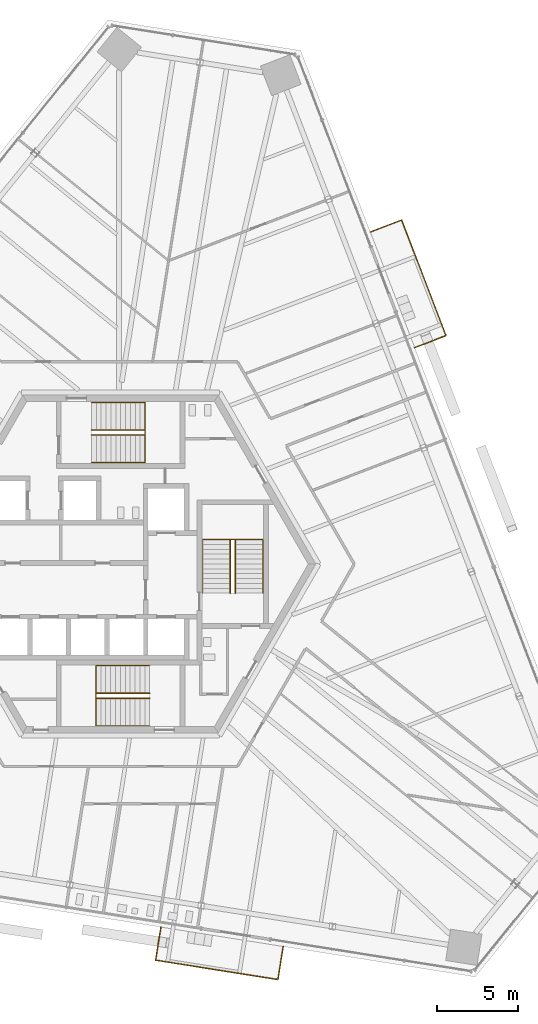
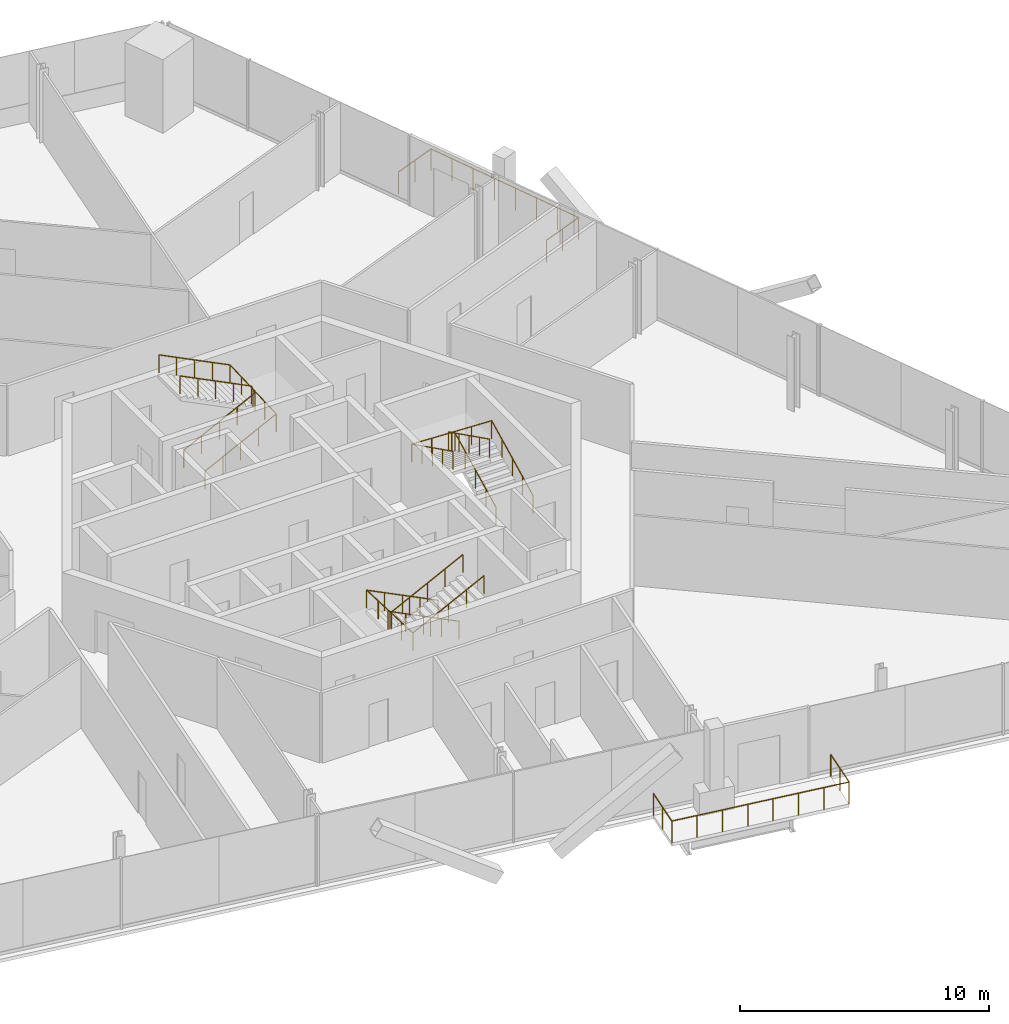
# One storey, part 15 of 18: 8 railings.
"""IFC4 building model written with IfcOpenShell, lengths in metres."""

from ifc_helpers import new_model, si_unit, direction, frame, origin, origin_2d, place, context, subcontext, project, spatial, circle, extrude, source, transform, mapped, material, type_object, element, save


model = new_model("IFC4")

# Units and contexts
model_context = context("Model", 3, precision=1e-05, world=origin(), true_north=direction((0.0, 1.0)))
body_context = subcontext(model_context, "Body", "Model", "MODEL_VIEW")
ifc_project = project(units=[si_unit("LENGTHUNIT", "METRE"), si_unit("AREAUNIT", "SQUARE_METRE"), si_unit("VOLUMEUNIT", "CUBIC_METRE"), si_unit("PLANEANGLEUNIT", "RADIAN"), si_unit("MASSUNIT", "GRAM", prefix="KILO")], contexts=[model_context])

# Site, building, storey
site_placement = place(None, origin())
site = spatial("IfcSite", under=ifc_project, at=site_placement, CompositionType="ELEMENT")
building_placement = place(site_placement, origin())
building = spatial("IfcBuilding", under=site, at=building_placement, Name="Triune Harvest Tower", CompositionType="ELEMENT")
storey_placement = place(building_placement, frame((0.0, 0.0, 156.89990234375)))
storey = spatial("IfcBuildingStorey", under=building, at=storey_placement, Name="L40", CompositionType="ELEMENT", Elevation=156.89990234375)

# Railings
ifc_material_1 = material(Name="Stainless steel AISI 316", Category="steel")
railing_type_1 = type_object("IfcRailingType", Name="Stair handrail", PredefinedType="HANDRAIL", material=ifc_material_1)
shared_shape_1 = source(origin(), body_context, "Body", "SweptSolid", [
    extrude(circle(Radius=0.02392578125, at=origin_2d()), frame((0.0, 0.0, 0.8759765625), z_axis=(0.894440424912, 0.0, 0.447187126696), x_axis=(0.0, 1.0, 0.0)), (0.0, 0.0, 1.0), 3.689453125),
    extrude(circle(Radius=0.02392578125, at=origin_2d()), frame((3.300048828125, 0.0, 2.52587890625), z_axis=(0.0, 0.999177620331, 0.040547293732), x_axis=(-1.0, 0.0, 0.0)), (0.0, 0.0, 1.0), 3.702880859375),
    extrude(circle(Radius=0.02392578125, at=origin_2d()), frame((3.300048828125, 3.699951171875, 2.67578125), z_axis=(-0.894440424912, 0.0, 0.447187126696), x_axis=(0.0, -1.0, 0.0)), (0.0, 0.0, 1.0), 3.689453125),
    extrude(circle(Radius=0.02099609375, at=origin_2d()), origin(), (0.0, 0.0, 1.0), 0.851806640625),
    extrude(circle(Radius=0.02099609375, at=origin_2d()), frame((0.824951171875, 0.0, 0.41259765625)), (0.0, 0.0, 1.0), 0.851806640625),
    extrude(circle(Radius=0.02099609375, at=origin_2d()), frame((1.64990234375, 0.0, 0.824951171875)), (0.0, 0.0, 1.0), 0.851806640625),
    extrude(circle(Radius=0.02099609375, at=origin_2d()), frame((2.47509765625, 0.0, 1.2373046875)), (0.0, 0.0, 1.0), 0.851806640625),
    extrude(circle(Radius=0.02099609375, at=origin_2d()), frame((3.300048828125, 0.0, 1.64990234375)), (0.0, 0.0, 1.0), 0.851806640625),
    extrude(circle(Radius=0.02099609375, at=origin_2d()), frame((3.300048828125, 0.925048828125, 1.6875)), (0.0, 0.0, 1.0), 0.851806640625),
    extrude(circle(Radius=0.02099609375, at=origin_2d()), frame((3.300048828125, 1.85009765625, 1.72509765625)), (0.0, 0.0, 1.0), 0.851806640625),
    extrude(circle(Radius=0.02099609375, at=origin_2d()), frame((3.300048828125, 2.77490234375, 1.762451171875)), (0.0, 0.0, 1.0), 0.851806640625),
    extrude(circle(Radius=0.02099609375, at=origin_2d()), frame((3.300048828125, 3.699951171875, 1.800048828125)), (0.0, 0.0, 1.0), 0.851806640625),
    extrude(circle(Radius=0.02099609375, at=origin_2d()), frame((2.47509765625, 3.699951171875, 2.21240234375)), (0.0, 0.0, 1.0), 0.851806640625),
    extrude(circle(Radius=0.02099609375, at=origin_2d()), frame((1.64990234375, 3.699951171875, 2.625)), (0.0, 0.0, 1.0), 0.851806640625),
    extrude(circle(Radius=0.02099609375, at=origin_2d()), frame((0.824951171875, 3.699951171875, 3.03759765625)), (0.0, 0.0, 1.0), 0.851806640625),
    extrude(circle(Radius=0.02099609375, at=origin_2d()), frame((0.0, 3.699951171875, 3.449951171875)), (0.0, 0.0, 1.0), 0.851806640625),
])
railing_1_placement = place(storey_placement, frame((-1.7900390625, 6.239990234375, 0.150146484375)))
element("IfcRailing", 1, at=railing_1_placement, inside=storey, type_object=railing_type_1, Name="Exit stair north wall handrail", PredefinedType="HANDRAIL", context=body_context, shape_type="MappedRepresentation", body=[
    mapped(shared_shape_1, transform((0.0, 0.0, 0.0), scale=1.0)),
])
shared_shape_2 = source(origin(), body_context, "Body", "SweptSolid", [
    extrude(circle(Radius=0.02392578125, at=origin_2d()), frame((0.0, 0.0, 0.8759765625), z_axis=(0.894440424912, 0.0, 0.447187126696), x_axis=(0.0, 1.0, 0.0)), (0.0, 0.0, 1.0), 3.689453125),
    extrude(circle(Radius=0.02392578125, at=origin_2d()), frame((3.300048828125, 0.0, 2.52587890625), z_axis=(0.0, 0.894281613681, 0.447504631744), x_axis=(-1.0, 0.0, 0.0)), (0.0, 0.0, 1.0), 0.33544921875),
    extrude(circle(Radius=0.02392578125, at=origin_2d()), frame((3.300048828125, 0.300048828125, 2.67578125), z_axis=(-0.894440424912, 0.0, 0.447187126696), x_axis=(0.0, -1.0, 0.0)), (0.0, 0.0, 1.0), 3.689453125),
    extrude(circle(Radius=0.02099609375, at=origin_2d()), origin(), (0.0, 0.0, 1.0), 0.851806640625),
    extrude(circle(Radius=0.02099609375, at=origin_2d()), frame((0.824951171875, 0.0, 0.41259765625)), (0.0, 0.0, 1.0), 0.851806640625),
    extrude(circle(Radius=0.02099609375, at=origin_2d()), frame((1.64990234375, 0.0, 0.824951171875)), (0.0, 0.0, 1.0), 0.851806640625),
    extrude(circle(Radius=0.02099609375, at=origin_2d()), frame((2.47509765625, 0.0, 1.2373046875)), (0.0, 0.0, 1.0), 0.851806640625),
    extrude(circle(Radius=0.02099609375, at=origin_2d()), frame((3.300048828125, 0.0, 1.64990234375)), (0.0, 0.0, 1.0), 0.851806640625),
    extrude(circle(Radius=0.02099609375, at=origin_2d()), frame((3.300048828125, 0.300048828125, 1.800048828125)), (0.0, 0.0, 1.0), 0.851806640625),
    extrude(circle(Radius=0.02099609375, at=origin_2d()), frame((2.47509765625, 0.300048828125, 2.21240234375)), (0.0, 0.0, 1.0), 0.851806640625),
    extrude(circle(Radius=0.02099609375, at=origin_2d()), frame((1.64990234375, 0.300048828125, 2.625)), (0.0, 0.0, 1.0), 0.851806640625),
    extrude(circle(Radius=0.02099609375, at=origin_2d()), frame((0.824951171875, 0.300048828125, 3.03759765625)), (0.0, 0.0, 1.0), 0.851806640625),
    extrude(circle(Radius=0.02099609375, at=origin_2d()), frame((0.0, 0.300048828125, 3.449951171875)), (0.0, 0.0, 1.0), 0.851806640625),
])
railing_2_placement = place(storey_placement, frame((-1.7900390625, 7.93994140625, 0.150146484375)))
element("IfcRailing", 2, at=railing_2_placement, inside=storey, type_object=railing_type_1, Name="Exit stair north centre handrail", PredefinedType="HANDRAIL", context=body_context, shape_type="MappedRepresentation", body=[
    mapped(shared_shape_2, transform((0.0, 0.0, 0.0), scale=1.0)),
])
shared_shape_3 = source(origin(), body_context, "Body", "SweptSolid", [
    extrude(circle(Radius=0.02392578125, at=origin_2d()), frame((0.0, 0.0, 0.8759765625), z_axis=(-0.894440424912, 0.0, 0.447187126696), x_axis=(0.0, -1.0, 0.0)), (0.0, 0.0, 1.0), 3.689453125),
    extrude(circle(Radius=0.02392578125, at=origin_2d()), frame((-3.300048828125, 0.0, 2.52587890625), z_axis=(0.0, -0.999177620331, 0.040547293732), x_axis=(1.0, 0.0, 0.0)), (0.0, 0.0, 1.0), 3.702880859375),
    extrude(circle(Radius=0.02392578125, at=origin_2d()), frame((-3.300048828125, -3.699951171875, 2.67578125), z_axis=(0.894440424912, 0.0, 0.447187126696), x_axis=(0.0, 1.0, 0.0)), (0.0, 0.0, 1.0), 3.689453125),
    extrude(circle(Radius=0.02099609375, at=origin_2d()), origin(), (0.0, 0.0, 1.0), 0.851806640625),
    extrude(circle(Radius=0.02099609375, at=origin_2d()), frame((-0.824951171875, 0.0, 0.41259765625)), (0.0, 0.0, 1.0), 0.851806640625),
    extrude(circle(Radius=0.02099609375, at=origin_2d()), frame((-1.64990234375, 0.0, 0.824951171875)), (0.0, 0.0, 1.0), 0.851806640625),
    extrude(circle(Radius=0.02099609375, at=origin_2d()), frame((-2.47509765625, 0.0, 1.2373046875)), (0.0, 0.0, 1.0), 0.851806640625),
    extrude(circle(Radius=0.02099609375, at=origin_2d()), frame((-3.300048828125, 0.0, 1.64990234375)), (0.0, 0.0, 1.0), 0.851806640625),
    extrude(circle(Radius=0.02099609375, at=origin_2d()), frame((-3.300048828125, -0.925048828125, 1.6875)), (0.0, 0.0, 1.0), 0.851806640625),
    extrude(circle(Radius=0.02099609375, at=origin_2d()), frame((-3.300048828125, -1.85009765625, 1.72509765625)), (0.0, 0.0, 1.0), 0.851806640625),
    extrude(circle(Radius=0.02099609375, at=origin_2d()), frame((-3.300048828125, -2.77490234375, 1.762451171875)), (0.0, 0.0, 1.0), 0.851806640625),
    extrude(circle(Radius=0.02099609375, at=origin_2d()), frame((-3.300048828125, -3.699951171875, 1.800048828125)), (0.0, 0.0, 1.0), 0.851806640625),
    extrude(circle(Radius=0.02099609375, at=origin_2d()), frame((-2.47509765625, -3.699951171875, 2.21240234375)), (0.0, 0.0, 1.0), 0.851806640625),
    extrude(circle(Radius=0.02099609375, at=origin_2d()), frame((-1.64990234375, -3.699951171875, 2.625)), (0.0, 0.0, 1.0), 0.851806640625),
    extrude(circle(Radius=0.02099609375, at=origin_2d()), frame((-0.824951171875, -3.699951171875, 3.03759765625)), (0.0, 0.0, 1.0), 0.851806640625),
    extrude(circle(Radius=0.02099609375, at=origin_2d()), frame((0.0, -3.699951171875, 3.449951171875)), (0.0, 0.0, 1.0), 0.851806640625),
])
railing_3_placement = place(storey_placement, frame((1.7900390625, -6.239990234375, 0.150146484375)))
element("IfcRailing", 3, at=railing_3_placement, inside=storey, type_object=railing_type_1, Name="Exit stair south wall handrail", PredefinedType="HANDRAIL", context=body_context, shape_type="MappedRepresentation", body=[
    mapped(shared_shape_3, transform((0.0, 0.0, 0.0), scale=1.0)),
])
shared_shape_4 = source(origin(), body_context, "Body", "SweptSolid", [
    extrude(circle(Radius=0.02392578125, at=origin_2d()), frame((0.0, 0.0, 0.8759765625), z_axis=(-0.894440424912, 0.0, 0.447187126696), x_axis=(0.0, -1.0, 0.0)), (0.0, 0.0, 1.0), 3.689453125),
    extrude(circle(Radius=0.02392578125, at=origin_2d()), frame((-3.300048828125, 0.0, 2.52587890625), z_axis=(0.0, -0.894281613681, 0.447504631744), x_axis=(1.0, 0.0, 0.0)), (0.0, 0.0, 1.0), 0.33544921875),
    extrude(circle(Radius=0.02392578125, at=origin_2d()), frame((-3.300048828125, -0.300048828125, 2.67578125), z_axis=(0.894440424912, 0.0, 0.447187126696), x_axis=(0.0, 1.0, 0.0)), (0.0, 0.0, 1.0), 3.689453125),
    extrude(circle(Radius=0.02099609375, at=origin_2d()), origin(), (0.0, 0.0, 1.0), 0.851806640625),
    extrude(circle(Radius=0.02099609375, at=origin_2d()), frame((-0.824951171875, 0.0, 0.41259765625)), (0.0, 0.0, 1.0), 0.851806640625),
    extrude(circle(Radius=0.02099609375, at=origin_2d()), frame((-1.64990234375, 0.0, 0.824951171875)), (0.0, 0.0, 1.0), 0.851806640625),
    extrude(circle(Radius=0.02099609375, at=origin_2d()), frame((-2.47509765625, 0.0, 1.2373046875)), (0.0, 0.0, 1.0), 0.851806640625),
    extrude(circle(Radius=0.02099609375, at=origin_2d()), frame((-3.300048828125, 0.0, 1.64990234375)), (0.0, 0.0, 1.0), 0.851806640625),
    extrude(circle(Radius=0.02099609375, at=origin_2d()), frame((-3.300048828125, -0.300048828125, 1.800048828125)), (0.0, 0.0, 1.0), 0.851806640625),
    extrude(circle(Radius=0.02099609375, at=origin_2d()), frame((-2.47509765625, -0.300048828125, 2.21240234375)), (0.0, 0.0, 1.0), 0.851806640625),
    extrude(circle(Radius=0.02099609375, at=origin_2d()), frame((-1.64990234375, -0.300048828125, 2.625)), (0.0, 0.0, 1.0), 0.851806640625),
    extrude(circle(Radius=0.02099609375, at=origin_2d()), frame((-0.824951171875, -0.300048828125, 3.03759765625)), (0.0, 0.0, 1.0), 0.851806640625),
    extrude(circle(Radius=0.02099609375, at=origin_2d()), frame((0.0, -0.300048828125, 3.449951171875)), (0.0, 0.0, 1.0), 0.851806640625),
])
railing_4_placement = place(storey_placement, frame((1.7900390625, -7.93994140625, 0.150146484375)))
element("IfcRailing", 4, at=railing_4_placement, inside=storey, type_object=railing_type_1, Name="Exit stair south centre handrail", PredefinedType="HANDRAIL", context=body_context, shape_type="MappedRepresentation", body=[
    mapped(shared_shape_4, transform((0.0, 0.0, 0.0), scale=1.0)),
])
shared_shape_5 = source(origin(), body_context, "Body", "SweptSolid", [
    extrude(circle(Radius=0.02392578125, at=origin_2d()), frame((0.0, 0.0, 0.8759765625), z_axis=(0.0, 0.894440424912, 0.447187126696), x_axis=(-1.0, 0.0, 0.0)), (0.0, 0.0, 1.0), 3.689453125),
    extrude(circle(Radius=0.02392578125, at=origin_2d()), frame((0.0, 3.300048828125, 2.52587890625), z_axis=(-0.999177620331, 0.0, 0.040547293732), x_axis=(0.0, -1.0, 0.0)), (0.0, 0.0, 1.0), 3.702880859375),
    extrude(circle(Radius=0.02392578125, at=origin_2d()), frame((-3.699951171875, 3.300048828125, 2.67578125), z_axis=(0.0, -0.894440424912, 0.447187126696), x_axis=(1.0, 0.0, 0.0)), (0.0, 0.0, 1.0), 3.689453125),
    extrude(circle(Radius=0.02099609375, at=origin_2d()), origin(), (0.0, 0.0, 1.0), 0.851806640625),
    extrude(circle(Radius=0.02099609375, at=origin_2d()), frame((0.0, 0.824951171875, 0.41259765625)), (0.0, 0.0, 1.0), 0.851806640625),
    extrude(circle(Radius=0.02099609375, at=origin_2d()), frame((0.0, 1.64990234375, 0.824951171875)), (0.0, 0.0, 1.0), 0.851806640625),
    extrude(circle(Radius=0.02099609375, at=origin_2d()), frame((0.0, 2.47509765625, 1.2373046875)), (0.0, 0.0, 1.0), 0.851806640625),
    extrude(circle(Radius=0.02099609375, at=origin_2d()), frame((0.0, 3.300048828125, 1.64990234375)), (0.0, 0.0, 1.0), 0.851806640625),
    extrude(circle(Radius=0.02099609375, at=origin_2d()), frame((-0.925048828125, 3.300048828125, 1.6875)), (0.0, 0.0, 1.0), 0.851806640625),
    extrude(circle(Radius=0.02099609375, at=origin_2d()), frame((-1.85009765625, 3.300048828125, 1.72509765625)), (0.0, 0.0, 1.0), 0.851806640625),
    extrude(circle(Radius=0.02099609375, at=origin_2d()), frame((-2.77490234375, 3.300048828125, 1.762451171875)), (0.0, 0.0, 1.0), 0.851806640625),
    extrude(circle(Radius=0.02099609375, at=origin_2d()), frame((-3.699951171875, 3.300048828125, 1.800048828125)), (0.0, 0.0, 1.0), 0.851806640625),
    extrude(circle(Radius=0.02099609375, at=origin_2d()), frame((-3.699951171875, 2.47509765625, 2.21240234375)), (0.0, 0.0, 1.0), 0.851806640625),
    extrude(circle(Radius=0.02099609375, at=origin_2d()), frame((-3.699951171875, 1.64990234375, 2.625)), (0.0, 0.0, 1.0), 0.851806640625),
    extrude(circle(Radius=0.02099609375, at=origin_2d()), frame((-3.699951171875, 0.824951171875, 3.03759765625)), (0.0, 0.0, 1.0), 0.851806640625),
    extrude(circle(Radius=0.02099609375, at=origin_2d()), frame((-3.699951171875, 0.0, 3.449951171875)), (0.0, 0.0, 1.0), 0.851806640625),
])
railing_5_placement = place(storey_placement, frame((8.75, -1.7900390625, 0.150146484375)))
element("IfcRailing", 5, at=railing_5_placement, inside=storey, type_object=railing_type_1, Name="Exit stair east wall handrail", PredefinedType="HANDRAIL", context=body_context, shape_type="MappedRepresentation", body=[
    mapped(shared_shape_5, transform((0.0, 0.0, 0.0), scale=1.0)),
])
shared_shape_6 = source(origin(), body_context, "Body", "SweptSolid", [
    extrude(circle(Radius=0.02392578125, at=origin_2d()), frame((0.0, 0.0, 0.8759765625), z_axis=(0.0, 0.894440424912, 0.447187126696), x_axis=(-1.0, 0.0, 0.0)), (0.0, 0.0, 1.0), 3.689453125),
    extrude(circle(Radius=0.02392578125, at=origin_2d()), frame((0.0, 3.300048828125, 2.52587890625), z_axis=(-0.894281613681, 0.0, 0.447504631744), x_axis=(0.0, -1.0, 0.0)), (0.0, 0.0, 1.0), 0.33544921875),
    extrude(circle(Radius=0.02392578125, at=origin_2d()), frame((-0.300048828125, 3.300048828125, 2.67578125), z_axis=(0.0, -0.894440424912, 0.447187126696), x_axis=(1.0, 0.0, 0.0)), (0.0, 0.0, 1.0), 3.689453125),
    extrude(circle(Radius=0.02099609375, at=origin_2d()), origin(), (0.0, 0.0, 1.0), 0.851806640625),
    extrude(circle(Radius=0.02099609375, at=origin_2d()), frame((0.0, 0.824951171875, 0.41259765625)), (0.0, 0.0, 1.0), 0.851806640625),
    extrude(circle(Radius=0.02099609375, at=origin_2d()), frame((0.0, 1.64990234375, 0.824951171875)), (0.0, 0.0, 1.0), 0.851806640625),
    extrude(circle(Radius=0.02099609375, at=origin_2d()), frame((0.0, 2.47509765625, 1.2373046875)), (0.0, 0.0, 1.0), 0.851806640625),
    extrude(circle(Radius=0.02099609375, at=origin_2d()), frame((0.0, 3.300048828125, 1.64990234375)), (0.0, 0.0, 1.0), 0.851806640625),
    extrude(circle(Radius=0.02099609375, at=origin_2d()), frame((-0.300048828125, 3.300048828125, 1.800048828125)), (0.0, 0.0, 1.0), 0.851806640625),
    extrude(circle(Radius=0.02099609375, at=origin_2d()), frame((-0.300048828125, 2.47509765625, 2.21240234375)), (0.0, 0.0, 1.0), 0.851806640625),
    extrude(circle(Radius=0.02099609375, at=origin_2d()), frame((-0.300048828125, 1.64990234375, 2.625)), (0.0, 0.0, 1.0), 0.851806640625),
    extrude(circle(Radius=0.02099609375, at=origin_2d()), frame((-0.300048828125, 0.824951171875, 3.03759765625)), (0.0, 0.0, 1.0), 0.851806640625),
    extrude(circle(Radius=0.02099609375, at=origin_2d()), frame((-0.300048828125, 0.0, 3.449951171875)), (0.0, 0.0, 1.0), 0.851806640625),
])
railing_6_placement = place(storey_placement, frame((7.050048828125, -1.7900390625, 0.150146484375)))
element("IfcRailing", 6, at=railing_6_placement, inside=storey, type_object=railing_type_1, Name="Exit stair east centre handrail", PredefinedType="HANDRAIL", context=body_context, shape_type="MappedRepresentation", body=[
    mapped(shared_shape_6, transform((0.0, 0.0, 0.0), scale=1.0)),
])
ifc_material_2 = material(Name="Glass", Category="glass")
railing_type_2 = type_object("IfcRailingType", Name="GD-2 balcony guard 1100", PredefinedType="GUARDRAIL", material=ifc_material_2)
shared_shape_7 = source(origin(), body_context, "Body", "SweptSolid", [
    extrude(circle(Radius=0.02392578125, at=origin_2d()), frame((0.0, 0.0, 1.076171875), z_axis=(0.933525587236, 0.358510778047, 0.0), x_axis=(-0.358510778047, 0.933525587236, 0.0)), (0.0, 0.0, 1.0), 2.061279296875),
    extrude(circle(Radius=0.02392578125, at=origin_2d()), frame((1.92431640625, 0.739013671875, 1.076171875), z_axis=(-0.358379540334, 0.933575977128, 0.0), x_axis=(-0.933575977128, -0.358379540334, 0.0)), (0.0, 0.0, 1.0), 7.6142578125),
    extrude(circle(Radius=0.02392578125, at=origin_2d()), frame((-0.804443359375, 7.847412109375, 1.076171875), z_axis=(-0.933565221806, -0.358407556608, 0.0), x_axis=(0.358407556608, -0.933565221806, 0.0)), (0.0, 0.0, 1.0), 2.061279296875),
    extrude(circle(Radius=0.02099609375, at=origin_2d()), origin(), (0.0, 0.0, 1.0), 1.052001953125),
    extrude(circle(Radius=0.02099609375, at=origin_2d()), frame((0.962158203125, 0.36962890625, 0.0)), (0.0, 0.0, 1.0), 1.052001953125),
    extrude(circle(Radius=0.02099609375, at=origin_2d()), frame((1.92431640625, 0.739013671875, 0.0)), (0.0, 0.0, 1.0), 1.052001953125),
    extrude(circle(Radius=0.02099609375, at=origin_2d()), frame((1.534423828125, 1.75439453125, 0.0)), (0.0, 0.0, 1.0), 1.052001953125),
    extrude(circle(Radius=0.02099609375, at=origin_2d()), frame((1.144775390625, 2.77001953125, 0.0)), (0.0, 0.0, 1.0), 1.052001953125),
    extrude(circle(Radius=0.02099609375, at=origin_2d()), frame((0.7548828125, 3.785400390625, 0.0)), (0.0, 0.0, 1.0), 1.052001953125),
    extrude(circle(Radius=0.02099609375, at=origin_2d()), frame((0.364990234375, 4.801025390625, 0.0)), (0.0, 0.0, 1.0), 1.052001953125),
    extrude(circle(Radius=0.02099609375, at=origin_2d()), frame((-0.02490234375, 5.81640625, 0.0)), (0.0, 0.0, 1.0), 1.052001953125),
    extrude(circle(Radius=0.02099609375, at=origin_2d()), frame((-0.41455078125, 6.83203125, 0.0)), (0.0, 0.0, 1.0), 1.052001953125),
    extrude(circle(Radius=0.02099609375, at=origin_2d()), frame((-0.804443359375, 7.847412109375, 0.0)), (0.0, 0.0, 1.0), 1.052001953125),
    extrude(circle(Radius=0.02099609375, at=origin_2d()), frame((-1.7666015625, 7.47802734375, 0.0)), (0.0, 0.0, 1.0), 1.052001953125),
    extrude(circle(Radius=0.02099609375, at=origin_2d()), frame((-2.728759765625, 7.108642578125, 0.0)), (0.0, 0.0, 1.0), 1.052001953125),
])
railing_7_placement = place(storey_placement, frame((18.08447265625, 13.302978515625, 0.0)))
element("IfcRailing", 7, at=railing_7_placement, inside=storey, type_object=railing_type_2, Name="Balcony guard B4-F1 L40.9", PredefinedType="GUARDRAIL", context=body_context, shape_type="MappedRepresentation", body=[
    mapped(shared_shape_7, transform((0.0, 0.0, 0.0), scale=1.0)),
])
shared_shape_8 = source(origin(), body_context, "Body", "SweptSolid", [
    extrude(circle(Radius=0.02392578125, at=origin_2d()), frame((0.0, 0.0, 1.076171875), z_axis=(-0.156327454925, -0.98770528339, 0.0), x_axis=(0.98770528339, -0.156327454925, 0.0)), (0.0, 0.0, 1.0), 2.0615234375),
    extrude(circle(Radius=0.02392578125, at=origin_2d()), frame((-0.322265625, -2.0361328125, 1.076171875), z_axis=(0.987686933126, -0.156443351191, 0.0), x_axis=(0.156443351191, 0.987686933126, 0.0)), (0.0, 0.0, 1.0), 7.614013671875),
    extrude(circle(Radius=0.02392578125, at=origin_2d()), frame((7.197998046875, -3.227294921875, 1.076171875), z_axis=(0.156442987384, 0.987686990751, 0.0), x_axis=(-0.987686990751, 0.156442987384, 0.0)), (0.0, 0.0, 1.0), 2.0615234375),
    extrude(circle(Radius=0.02099609375, at=origin_2d()), origin(), (0.0, 0.0, 1.0), 1.052001953125),
    extrude(circle(Radius=0.02099609375, at=origin_2d()), frame((-0.1611328125, -1.01806640625, 0.0)), (0.0, 0.0, 1.0), 1.052001953125),
    extrude(circle(Radius=0.02099609375, at=origin_2d()), frame((-0.322265625, -2.0361328125, 0.0)), (0.0, 0.0, 1.0), 1.052001953125),
    extrude(circle(Radius=0.02099609375, at=origin_2d()), frame((0.751953125, -2.206298828125, 0.0)), (0.0, 0.0, 1.0), 1.052001953125),
    extrude(circle(Radius=0.02099609375, at=origin_2d()), frame((1.826416015625, -2.37646484375, 0.0)), (0.0, 0.0, 1.0), 1.052001953125),
    extrude(circle(Radius=0.02099609375, at=origin_2d()), frame((2.900634765625, -2.546630859375, 0.0)), (0.0, 0.0, 1.0), 1.052001953125),
    extrude(circle(Radius=0.02099609375, at=origin_2d()), frame((3.97509765625, -2.716796875, 0.0)), (0.0, 0.0, 1.0), 1.052001953125),
    extrude(circle(Radius=0.02099609375, at=origin_2d()), frame((5.04931640625, -2.886962890625, 0.0)), (0.0, 0.0, 1.0), 1.052001953125),
    extrude(circle(Radius=0.02099609375, at=origin_2d()), frame((6.123779296875, -3.05712890625, 0.0)), (0.0, 0.0, 1.0), 1.052001953125),
    extrude(circle(Radius=0.02099609375, at=origin_2d()), frame((7.197998046875, -3.227294921875, 0.0)), (0.0, 0.0, 1.0), 1.052001953125),
    extrude(circle(Radius=0.02099609375, at=origin_2d()), frame((7.359375, -2.209228515625, 0.0)), (0.0, 0.0, 1.0), 1.052001953125),
    extrude(circle(Radius=0.02099609375, at=origin_2d()), frame((7.5205078125, -1.191162109375, 0.0)), (0.0, 0.0, 1.0), 1.052001953125),
])
railing_8_placement = place(storey_placement, frame((2.478515625, -22.31298828125, 0.0)))
element("IfcRailing", 8, at=railing_8_placement, inside=storey, type_object=railing_type_2, Name="Balcony guard B4-F5 L40.9", PredefinedType="GUARDRAIL", context=body_context, shape_type="MappedRepresentation", body=[
    mapped(shared_shape_8, transform((0.0, 0.0, 0.0), scale=1.0)),
])

save(model, "model.ifc")
